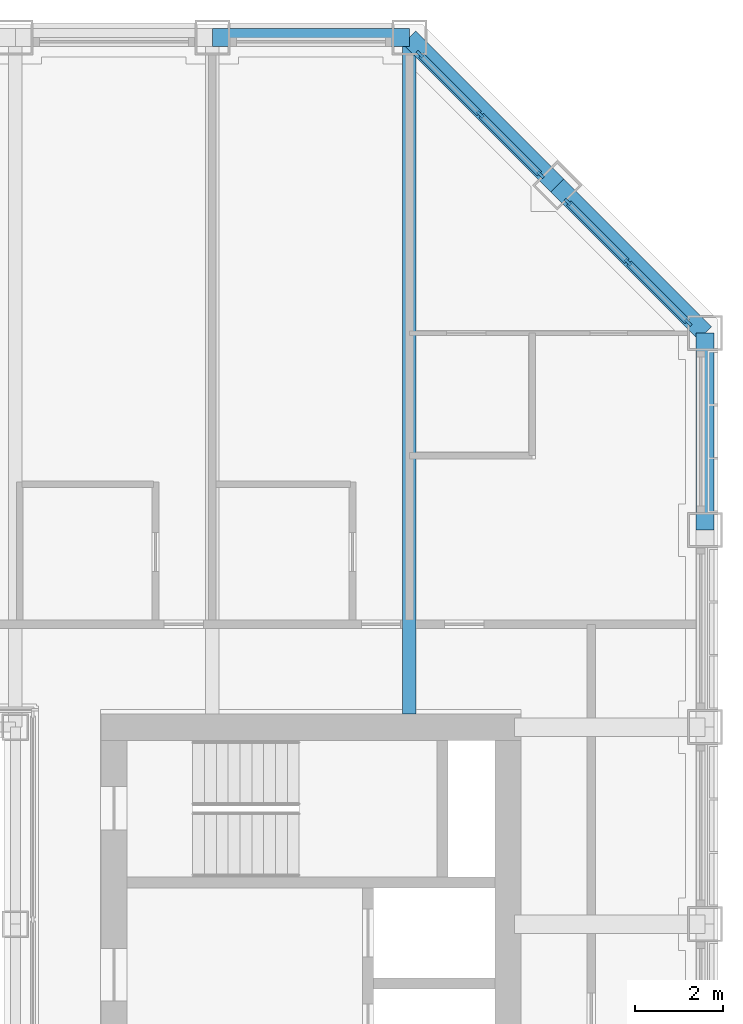
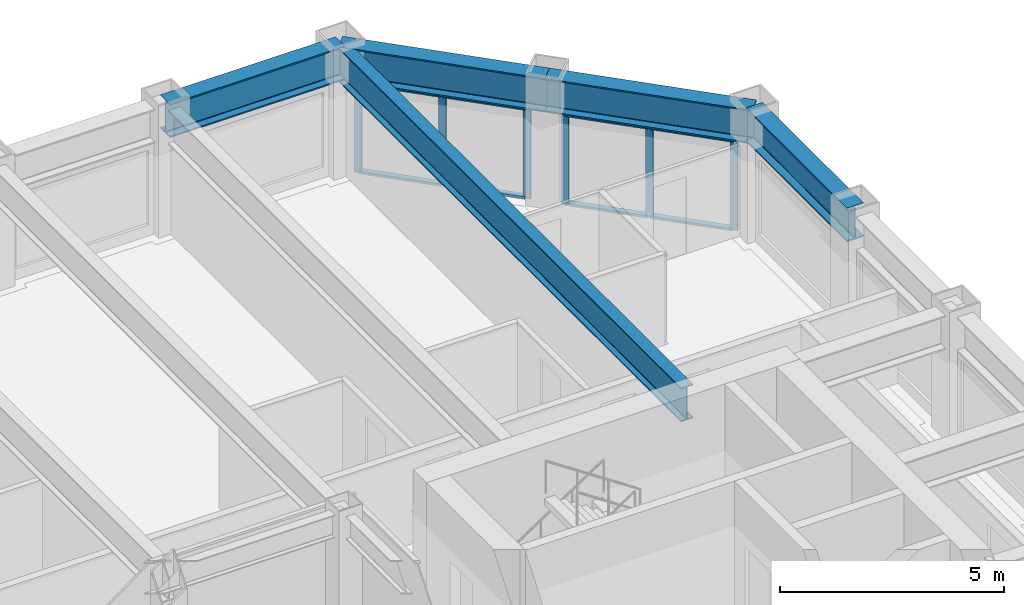
# One storey, part 8 of 17: 14 members, 5 beams, 2 elements without a shape of their own.
"""IFC4 building model written with IfcOpenShell, lengths in metres."""

from ifc_helpers import new_model, si_unit, direction, frame, origin, origin_2d, place, context, subcontext, project, spatial, rectangle, i_section, extrude, material, material_profile, profile_set, type_object, element, aggregate, save


model = new_model("IFC4")

# Units and contexts
model_context = context("Model", 3, precision=1e-05, world=origin(), true_north=direction((0.0, 1.0)))
body_context = subcontext(model_context, "Body", "Model", "MODEL_VIEW")
ifc_project = project(units=[si_unit("LENGTHUNIT", "METRE"), si_unit("AREAUNIT", "SQUARE_METRE"), si_unit("VOLUMEUNIT", "CUBIC_METRE"), si_unit("PLANEANGLEUNIT", "RADIAN"), si_unit("MASSUNIT", "GRAM", prefix="KILO")], contexts=[model_context])

# Site, building, storey
site_placement = place(None, origin())
site = spatial("IfcSite", under=ifc_project, at=site_placement, CompositionType="ELEMENT")
building_placement = place(site_placement, origin())
building = spatial("IfcBuilding", under=site, at=building_placement, Name="Msasa Ring Tower", CompositionType="ELEMENT")
storey_placement = place(building_placement, frame((0.0, 0.0, 172.39990234375)))
storey = spatial("IfcBuildingStorey", under=building, at=storey_placement, Name="L45", CompositionType="ELEMENT", Elevation=172.39990234375)

# Curtain wall, members
ifc_material_1 = material(Name="Aluminium curtain wall with clear glass", Category="aluminium")
curtain_wall_type = type_object("IfcCurtainWallType", Name="CW-C CHAMFER CORNER CURTAIN WALL", PredefinedType="NOTDEFINED", material=ifc_material_1)
curtain_wall_1_placement = place(storey_placement, origin())
curtain_wall_1 = element("IfcCurtainWall", 1, at=curtain_wall_1_placement, inside=storey, type_object=curtain_wall_type, Name="Chamfer corner curtain wall NE L45", PredefinedType="NOTDEFINED")
ifc_material_2 = material(Name="Aluminium mullion", Category="aluminium")
ifc_material_profile_1 = material_profile(ifc_material_2, rectangle(XDim=0.06494140625, YDim=0.179931640625, at=origin_2d()), Name="AL 65x180")
ifc_profile_set_1 = profile_set([ifc_material_profile_1], Name="Aluminium mullion")
member_type_1 = type_object("IfcMemberType", Name="CW-C MULLION 65x180", PredefinedType="MULLION", material=ifc_profile_set_1)
member_1_placement = place(storey_placement, frame((18.744873046875, 19.36376953125, 0.0), z_axis=(0.0, 0.0, 1.0), x_axis=(-0.707106781187, -0.707106781187, 0.0)))
member_1 = element("IfcMember", 2, at=member_1_placement, type_object=member_type_1, Name="CW-C mullion 1", PredefinedType="MULLION", context=body_context, shape_type="SweptSolid", body=[
    extrude(rectangle(XDim=0.06494140625, YDim=0.179931640625, at=origin_2d()), origin(), (0.0, 0.0, 1.0), 2.47900390625),
])
member_2_placement = place(storey_placement, frame((17.36669921875, 20.74169921875, 0.0), z_axis=(0.0, 0.0, 1.0), x_axis=(-0.707106781187, -0.707106781187, 0.0)))
member_2 = element("IfcMember", 3, at=member_2_placement, type_object=member_type_1, Name="CW-C mullion 2", PredefinedType="MULLION", context=body_context, shape_type="SweptSolid", body=[
    extrude(rectangle(XDim=0.06494140625, YDim=0.179931640625, at=origin_2d()), origin(), (0.0, 0.0, 1.0), 2.47900390625),
])
member_3_placement = place(storey_placement, frame((15.98876953125, 22.119873046875, 0.0), z_axis=(0.0, 0.0, 1.0), x_axis=(-0.707106781187, -0.707106781187, 0.0)))
member_3 = element("IfcMember", 4, at=member_3_placement, type_object=member_type_1, Name="CW-C mullion 3", PredefinedType="MULLION", context=body_context, shape_type="SweptSolid", body=[
    extrude(rectangle(XDim=0.06494140625, YDim=0.179931640625, at=origin_2d()), origin(), (0.0, 0.0, 1.0), 2.47900390625),
])

curtain_wall_2_placement = place(storey_placement, origin())
curtain_wall_2 = element("IfcCurtainWall", 5, at=curtain_wall_2_placement, inside=storey, type_object=curtain_wall_type, Name="Chamfer corner curtain wall NE L45", PredefinedType="NOTDEFINED")
member_4_placement = place(storey_placement, frame((22.119873046875, 15.98876953125, 0.0), z_axis=(0.0, 0.0, 1.0), x_axis=(-0.707106781187, -0.707106781187, 0.0)))
member_4 = element("IfcMember", 6, at=member_4_placement, type_object=member_type_1, Name="CW-C mullion 1", PredefinedType="MULLION", context=body_context, shape_type="SweptSolid", body=[
    extrude(rectangle(XDim=0.06494140625, YDim=0.179931640625, at=origin_2d()), origin(), (0.0, 0.0, 1.0), 2.47900390625),
])
member_5_placement = place(storey_placement, frame((20.74169921875, 17.36669921875, 0.0), z_axis=(0.0, 0.0, 1.0), x_axis=(-0.707106781187, -0.707106781187, 0.0)))
member_5 = element("IfcMember", 7, at=member_5_placement, type_object=member_type_1, Name="CW-C mullion 2", PredefinedType="MULLION", context=body_context, shape_type="SweptSolid", body=[
    extrude(rectangle(XDim=0.06494140625, YDim=0.179931640625, at=origin_2d()), origin(), (0.0, 0.0, 1.0), 2.47900390625),
])
member_6_placement = place(storey_placement, frame((19.36376953125, 18.744873046875, 0.0), z_axis=(0.0, 0.0, 1.0), x_axis=(-0.707106781187, -0.707106781187, 0.0)))
member_6 = element("IfcMember", 8, at=member_6_placement, type_object=member_type_1, Name="CW-C mullion 3", PredefinedType="MULLION", context=body_context, shape_type="SweptSolid", body=[
    extrude(rectangle(XDim=0.06494140625, YDim=0.179931640625, at=origin_2d()), origin(), (0.0, 0.0, 1.0), 2.47900390625),
])

# Member
ifc_material_3 = material(Name="Aluminium transom", Category="aluminium")
ifc_material_profile_2 = material_profile(ifc_material_3, rectangle(XDim=0.139892578125, YDim=0.06494140625, at=origin_2d()), Name="AL 65x140")
ifc_profile_set_2 = profile_set([ifc_material_profile_2], Name="Aluminium transom")
member_type_2 = type_object("IfcMemberType", Name="CW-C TRANSOM 65x140", PredefinedType="USERDEFINED", material=ifc_profile_set_2)
member_7_placement = place(storey_placement, frame((18.721923828125, 19.38671875, 0.03271484375), z_axis=(-0.707106781187, 0.707106781187, 0.0), x_axis=(-0.707106781187, -0.707106781187, 0.0)))
member_7 = element("IfcMember", 9, at=member_7_placement, type_object=member_type_2, Name="CW-C transom 1.1", ObjectType="TRANSOM", PredefinedType="USERDEFINED", context=body_context, shape_type="SweptSolid", body=[
    extrude(rectangle(XDim=0.139892578125, YDim=0.06494140625, at=origin_2d()), origin(), (0.0, 0.0, 1.0), 1.8837890625),
])

member_8_placement = place(storey_placement, frame((18.721923828125, 19.38671875, 2.446533203125), z_axis=(-0.707106781187, 0.707106781187, 0.0), x_axis=(-0.707106781187, -0.707106781187, 0.0)))
member_8 = element("IfcMember", 10, at=member_8_placement, type_object=member_type_2, Name="CW-C transom 1.2", ObjectType="TRANSOM", PredefinedType="USERDEFINED", context=body_context, shape_type="SweptSolid", body=[
    extrude(rectangle(XDim=0.139892578125, YDim=0.06494140625, at=origin_2d()), origin(), (0.0, 0.0, 1.0), 1.8837890625),
])

member_9_placement = place(storey_placement, frame((17.34375, 20.764892578125, 0.03271484375), z_axis=(-0.707106781187, 0.707106781187, 0.0), x_axis=(-0.707106781187, -0.707106781187, 0.0)))
member_9 = element("IfcMember", 11, at=member_9_placement, type_object=member_type_2, Name="CW-C transom 2.1", ObjectType="TRANSOM", PredefinedType="USERDEFINED", context=body_context, shape_type="SweptSolid", body=[
    extrude(rectangle(XDim=0.139892578125, YDim=0.06494140625, at=origin_2d()), origin(), (0.0, 0.0, 1.0), 1.8837890625),
])

member_10_placement = place(storey_placement, frame((17.34375, 20.764892578125, 2.446533203125), z_axis=(-0.707106781187, 0.707106781187, 0.0), x_axis=(-0.707106781187, -0.707106781187, 0.0)))
member_10 = element("IfcMember", 12, at=member_10_placement, type_object=member_type_2, Name="CW-C transom 2.2", ObjectType="TRANSOM", PredefinedType="USERDEFINED", context=body_context, shape_type="SweptSolid", body=[
    extrude(rectangle(XDim=0.139892578125, YDim=0.06494140625, at=origin_2d()), origin(), (0.0, 0.0, 1.0), 1.8837890625),
])

aggregate(curtain_wall_1, [member_1, member_2, member_3, member_7, member_8, member_9, member_10])

member_11_placement = place(storey_placement, frame((22.096923828125, 16.01171875, 0.03271484375), z_axis=(-0.707106781187, 0.707106781187, 0.0), x_axis=(-0.707106781187, -0.707106781187, 0.0)))
member_11 = element("IfcMember", 13, at=member_11_placement, type_object=member_type_2, Name="CW-C transom 1.1", ObjectType="TRANSOM", PredefinedType="USERDEFINED", context=body_context, shape_type="SweptSolid", body=[
    extrude(rectangle(XDim=0.139892578125, YDim=0.06494140625, at=origin_2d()), origin(), (0.0, 0.0, 1.0), 1.8837890625),
])

member_12_placement = place(storey_placement, frame((22.096923828125, 16.01171875, 2.446533203125), z_axis=(-0.707106781187, 0.707106781187, 0.0), x_axis=(-0.707106781187, -0.707106781187, 0.0)))
member_12 = element("IfcMember", 14, at=member_12_placement, type_object=member_type_2, Name="CW-C transom 1.2", ObjectType="TRANSOM", PredefinedType="USERDEFINED", context=body_context, shape_type="SweptSolid", body=[
    extrude(rectangle(XDim=0.139892578125, YDim=0.06494140625, at=origin_2d()), origin(), (0.0, 0.0, 1.0), 1.8837890625),
])

member_13_placement = place(storey_placement, frame((20.71875, 17.389892578125, 0.03271484375), z_axis=(-0.707106781187, 0.707106781187, 0.0), x_axis=(-0.707106781187, -0.707106781187, 0.0)))
member_13 = element("IfcMember", 15, at=member_13_placement, type_object=member_type_2, Name="CW-C transom 2.1", ObjectType="TRANSOM", PredefinedType="USERDEFINED", context=body_context, shape_type="SweptSolid", body=[
    extrude(rectangle(XDim=0.139892578125, YDim=0.06494140625, at=origin_2d()), origin(), (0.0, 0.0, 1.0), 1.8837890625),
])

member_14_placement = place(storey_placement, frame((20.71875, 17.389892578125, 2.446533203125), z_axis=(-0.707106781187, 0.707106781187, 0.0), x_axis=(-0.707106781187, -0.707106781187, 0.0)))
member_14 = element("IfcMember", 16, at=member_14_placement, type_object=member_type_2, Name="CW-C transom 2.2", ObjectType="TRANSOM", PredefinedType="USERDEFINED", context=body_context, shape_type="SweptSolid", body=[
    extrude(rectangle(XDim=0.139892578125, YDim=0.06494140625, at=origin_2d()), origin(), (0.0, 0.0, 1.0), 1.8837890625),
])

aggregate(curtain_wall_2, [member_4, member_5, member_6, member_11, member_12, member_13, member_14])

# Beams
ifc_material_4 = material(Name="Steel S355", Category="steel")
ifc_material_profile_3 = material_profile(ifc_material_4, i_section(OverallWidth=0.3076171875, OverallDepth=0.926513671875, WebThickness=0.01953125, FlangeThickness=0.031982421875, FilletRadius=0.01904296875, at=origin_2d()), Name="UB 914x305x289")
ifc_profile_set_3 = profile_set([ifc_material_profile_3], Name="Steel S355")
beam_type_1 = type_object("IfcBeamType", Name="FB3 UB 914x305x289", PredefinedType="BEAM", material=ifc_profile_set_3)
beam_1_placement = place(storey_placement, frame((15.75, 22.5, 2.936767578125), z_axis=(0.0, -1.0, 0.0), x_axis=(1.0, 0.0, 0.0)))
element("IfcBeam", 17, at=beam_1_placement, inside=storey, type_object=beam_type_1, Name="Floor beam N+15.75 under L46", PredefinedType="BEAM", context=body_context, shape_type="SweptSolid", body=[
    extrude(i_section(OverallWidth=0.3076171875, OverallDepth=0.926513671875, WebThickness=0.01953125, FlangeThickness=0.031982421875, FilletRadius=0.01904296875, at=origin_2d()), origin(), (0.0, 0.0, 1.0), 15.449951171875),
])
ifc_material_5 = material(Name="Steel S355", Category="steel")
ifc_material_profile_4 = material_profile(ifc_material_5, i_section(OverallWidth=0.42041015625, OverallDepth=0.9208984375, WebThickness=0.021484375, FlangeThickness=0.03662109375, FilletRadius=0.024169921875, at=origin_2d()), Name="UB 914x419x388")
ifc_profile_set_4 = profile_set([ifc_material_profile_4], Name="Steel S355")
beam_type_2 = type_object("IfcBeamType", Name="SB1 UB 914x419x388", PredefinedType="SPANDREL", material=ifc_profile_set_4)
beam_2_placement = place(storey_placement, frame((22.5, 11.25, 2.939697265625), z_axis=(0.0, 1.0, 0.0), x_axis=(-1.0, 0.0, 0.0)))
element("IfcBeam", 18, at=beam_2_placement, inside=storey, type_object=beam_type_2, Name="Spandrel E+11.25 to E+15.75 under L46", PredefinedType="SPANDREL", context=body_context, shape_type="SweptSolid", body=[
    extrude(i_section(OverallWidth=0.42041015625, OverallDepth=0.9208984375, WebThickness=0.021484375, FlangeThickness=0.03662109375, FilletRadius=0.024169921875, at=origin_2d()), origin(), (0.0, 0.0, 1.0), 4.5),
])
for number, where, z_axis, x_axis, name in (
    (19, (22.5, 15.75, 2.939697265625), (-0.707106781187, 0.707106781187, 0.0), (-0.707106781187, -0.707106781187, 0.0), "Spandrel E+15.75 to NE under L46"),
    (20, (19.125, 19.125, 2.939697265625), (-0.707106781187, 0.707106781187, 0.0), (-0.707106781187, -0.707106781187, 0.0), "Spandrel NE to N+15.75 under L46"),
):
    element("IfcBeam", number, at=place(storey_placement, frame(where, z_axis=z_axis, x_axis=x_axis)), inside=storey, type_object=beam_type_2, Name=name, PredefinedType="SPANDREL", context=body_context, shape_type="SweptSolid", body=[
        extrude(i_section(OverallWidth=0.42041015625, OverallDepth=0.9208984375, WebThickness=0.021484375, FlangeThickness=0.03662109375, FilletRadius=0.024169921875, at=origin_2d()), origin(), (0.0, 0.0, 1.0), 4.77294921875),
    ])
beam_3_placement = place(storey_placement, frame((15.75, 22.5, 2.939697265625), z_axis=(-1.0, 0.0, 0.0), x_axis=(0.0, -1.0, 0.0)))
element("IfcBeam", 21, at=beam_3_placement, inside=storey, type_object=beam_type_2, Name="Spandrel N+15.75 to N+11.25 under L46", PredefinedType="SPANDREL", context=body_context, shape_type="SweptSolid", body=[
    extrude(i_section(OverallWidth=0.42041015625, OverallDepth=0.9208984375, WebThickness=0.021484375, FlangeThickness=0.03662109375, FilletRadius=0.024169921875, at=origin_2d()), origin(), (0.0, 0.0, 1.0), 4.5),
])

save(model, "model.ifc")
